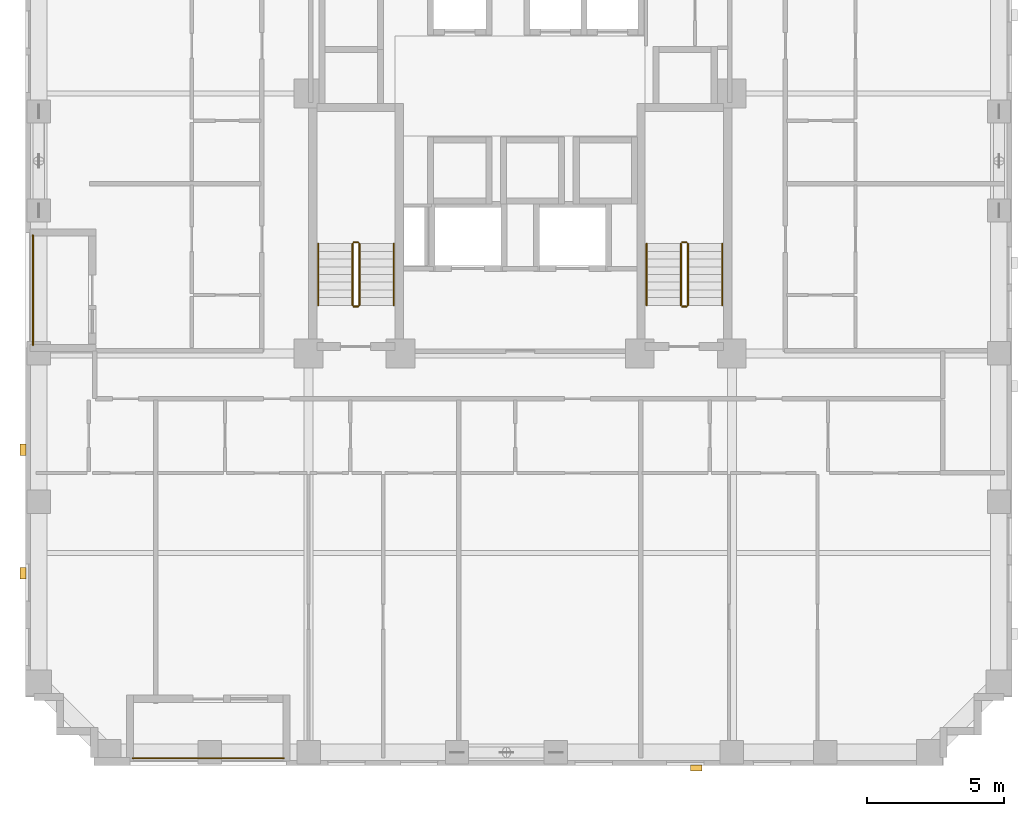
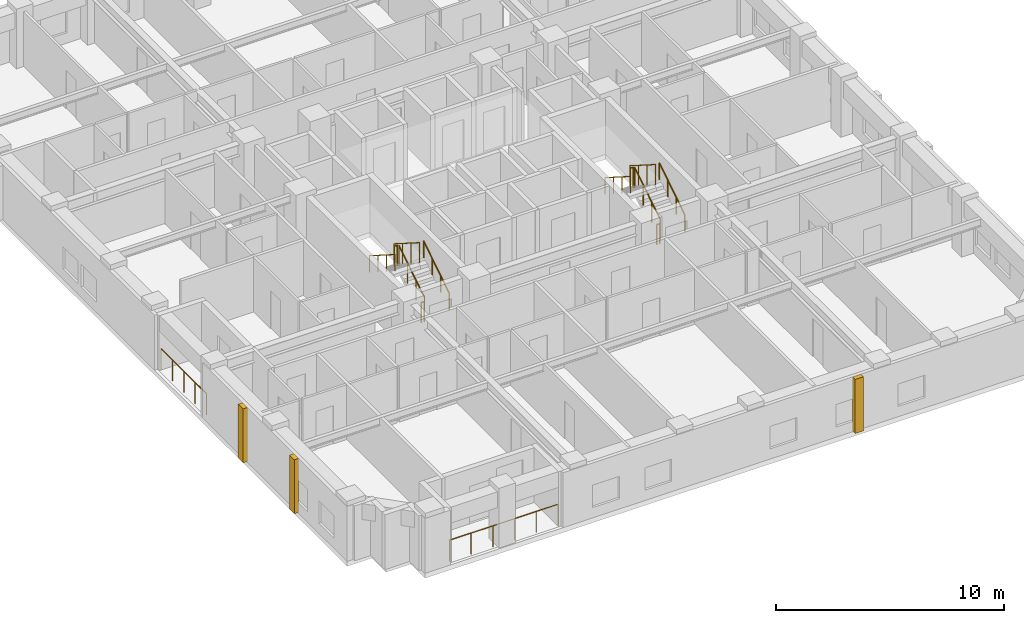
# One storey, part 11 of 12: 14 railings, 3 coverings.
"""IFC4 building model written with IfcOpenShell, lengths in metres."""

from ifc_helpers import new_model, si_unit, derived_unit, direction, frame, origin, origin_2d, place, context, subcontext, project, spatial, rectangle, circle, extrude, material, layer, layer_set, type_object, element, save


model = new_model("IFC4")

# Units and contexts
model_context = context("Model", 3, precision=1e-05, world=origin(), true_north=direction((0.0, 1.0)))
body_context = subcontext(model_context, "Body", "Model", "MODEL_VIEW")
ifc_project = project(units=[si_unit("LENGTHUNIT", "METRE"), si_unit("AREAUNIT", "SQUARE_METRE"), si_unit("VOLUMEUNIT", "CUBIC_METRE"), si_unit("PLANEANGLEUNIT", "RADIAN"), si_unit("MASSUNIT", "GRAM", prefix="KILO"), derived_unit("THERMALTRANSMITTANCEUNIT", [(si_unit("MASSUNIT", "GRAM", prefix="KILO"), 1), (si_unit("TIMEUNIT", "SECOND"), -3), (si_unit("THERMODYNAMICTEMPERATUREUNIT", "KELVIN"), -1)])], contexts=[model_context])

# Site, building, storey
site_placement = place(None, origin())
site = spatial("IfcSite", under=ifc_project, at=site_placement, CompositionType="ELEMENT")
building_placement = place(site_placement, origin())
building = spatial("IfcBuilding", under=site, at=building_placement, Name="Korrvale Station Residences", CompositionType="ELEMENT")
storey_placement = place(building_placement, frame((0.0, 0.0, 94.300048828125)))
storey = spatial("IfcBuildingStorey", under=building, at=storey_placement, Name="L26", CompositionType="ELEMENT", Elevation=94.300048828125)

# Coverings
ifc_material_1 = material(Name="Architectural precast concrete C45/55", Category="concrete")
ifc_layer = layer(ifc_material_1, 0.219970703125, Name="Architectural precast concrete C45/55")
ifc_layer_set = layer_set([ifc_layer], Name="Architectural precast concrete C45/55")
covering_type = type_object("IfcCoveringType", Name="COV-PIER-400", PredefinedType="CLADDING", material=ifc_layer_set)
for number, where, z_axis, x_axis, name in (
    (1, (31.89990234375, -0.090087890625, 0.02490234375), (0.0, 0.0, 1.0), (1.0, 0.0, 0.0), "L26 Architectural Precast Facade Pier 01"),
    (2, (7.409912109375, 7.0, 0.02490234375), (0.0, 0.0, 1.0), (0.0, 1.0, 0.0), "L26 Architectural Precast Facade Pier 04"),
    (3, (7.409912109375, 11.5, 0.02490234375), (0.0, 0.0, 1.0), (0.0, 1.0, 0.0), "L26 Architectural Precast Facade Pier 05"),
):
    element("IfcCovering", number, at=place(storey_placement, frame(where, z_axis=z_axis, x_axis=x_axis)), inside=storey, type_object=covering_type, Name=name, PredefinedType="CLADDING", context=body_context, shape_type="SweptSolid", body=[
        extrude(rectangle(XDim=0.419921875, YDim=0.219970703125, at=origin_2d()), origin(), (0.0, 0.0, 1.0), 2.889892578125),
    ])

# Railings
ifc_material_2 = material(Name="Powder-coated aluminium picket loggia guard", Category="aluminium")
railing_type_1 = type_object("IfcRailingType", Name="RLG-BAL-1150", PredefinedType="GUARDRAIL", material=ifc_material_2)
railing_1_placement = place(storey_placement, frame((11.39990234375, 0.27001953125, 0.0)))
element("IfcRailing", 4, at=railing_1_placement, inside=storey, type_object=railing_type_1, Name="L26 Recessed Loggia Guardrail BAL-L26-S1", PredefinedType="GUARDRAIL", context=body_context, shape_type="SweptSolid", body=[
    extrude(circle(Radius=0.02392578125, at=origin_2d()), frame((0.0, 0.0, 1.1259765625), z_axis=(1.0, 0.0, 0.0), x_axis=(0.0, 1.0, 0.0)), (0.0, 0.0, 1.0), 5.5),
    extrude(circle(Radius=0.02099609375, at=origin_2d()), origin(), (0.0, 0.0, 1.0), 1.101806640625),
    extrude(circle(Radius=0.02099609375, at=origin_2d()), frame((1.10009765625, 0.0, 0.0)), (0.0, 0.0, 1.0), 1.101806640625),
    extrude(circle(Radius=0.02099609375, at=origin_2d()), frame((2.199951171875, 0.0, 0.0)), (0.0, 0.0, 1.0), 1.101806640625),
    extrude(circle(Radius=0.02099609375, at=origin_2d()), frame((3.300048828125, 0.0, 0.0)), (0.0, 0.0, 1.0), 1.101806640625),
    extrude(circle(Radius=0.02099609375, at=origin_2d()), frame((4.39990234375, 0.0, 0.0)), (0.0, 0.0, 1.0), 1.101806640625),
    extrude(circle(Radius=0.02099609375, at=origin_2d()), frame((5.5, 0.0, 0.0)), (0.0, 0.0, 1.0), 1.101806640625),
])
railing_2_placement = place(storey_placement, frame((7.77001953125, 15.300048828125, 0.0)))
element("IfcRailing", 5, at=railing_2_placement, inside=storey, type_object=railing_type_1, Name="L26 Recessed Loggia Guardrail BAL-L26-W1", PredefinedType="GUARDRAIL", context=body_context, shape_type="SweptSolid", body=[
    extrude(circle(Radius=0.02392578125, at=origin_2d()), frame((0.0, 0.0, 1.1259765625), z_axis=(0.0, 1.0, 0.0), x_axis=(-1.0, 0.0, 0.0)), (0.0, 0.0, 1.0), 4.0),
    extrude(circle(Radius=0.02099609375, at=origin_2d()), origin(), (0.0, 0.0, 1.0), 1.101806640625),
    extrude(circle(Radius=0.02099609375, at=origin_2d()), frame((0.0, 1.0, 0.0)), (0.0, 0.0, 1.0), 1.101806640625),
    extrude(circle(Radius=0.02099609375, at=origin_2d()), frame((0.0, 2.0, 0.0)), (0.0, 0.0, 1.0), 1.101806640625),
    extrude(circle(Radius=0.02099609375, at=origin_2d()), frame((0.0, 3.0, 0.0)), (0.0, 0.0, 1.0), 1.101806640625),
    extrude(circle(Radius=0.02099609375, at=origin_2d()), frame((0.0, 4.0, 0.0)), (0.0, 0.0, 1.0), 1.101806640625),
])
ifc_material_3 = material(Name="Brushed stainless-steel continuous stair handrail", Category="steel")
railing_type_2 = type_object("IfcRailingType", Name="RLG-SHND-900", PredefinedType="HANDRAIL", material=ifc_material_3)
railing_3_placement = place(storey_placement, frame((20.89990234375, 16.75, 0.177734375)))
element("IfcRailing", 6, at=railing_3_placement, inside=storey, type_object=railing_type_2, Name="L26 ST-1 stair handrail 1", PredefinedType="HANDRAIL", context=body_context, shape_type="SweptSolid", body=[
    extrude(circle(Radius=0.02392578125, at=origin_2d()), frame((0.0, 0.0, 0.8759765625), z_axis=(0.0, 0.8442293374, 0.53598211339), x_axis=(-1.0, 0.0, 0.0)), (0.0, 0.0, 1.0), 2.6533203125),
    extrude(circle(Radius=0.02099609375, at=origin_2d()), origin(), (0.0, 0.0, 1.0), 0.851806640625),
    extrude(circle(Radius=0.02099609375, at=origin_2d()), frame((0.0, 0.74658203125, 0.47412109375)), (0.0, 0.0, 1.0), 0.851806640625),
    extrude(circle(Radius=0.02099609375, at=origin_2d()), frame((0.0, 1.493408203125, 0.947998046875)), (0.0, 0.0, 1.0), 0.851806640625),
    extrude(circle(Radius=0.02099609375, at=origin_2d()), frame((0.0, 2.239990234375, 1.422119140625)), (0.0, 0.0, 1.0), 0.851806640625),
])
railing_4_placement = place(storey_placement, frame((18.14990234375, 18.989990234375, 1.77783203125)))
element("IfcRailing", 7, at=railing_4_placement, inside=storey, type_object=railing_type_2, Name="L26 ST-1 stair handrail 2", PredefinedType="HANDRAIL", context=body_context, shape_type="SweptSolid", body=[
    extrude(circle(Radius=0.02392578125, at=origin_2d()), frame((0.0, 0.0, 0.8759765625), z_axis=(0.0, -0.8442293374, 0.53598211339), x_axis=(1.0, 0.0, 0.0)), (0.0, 0.0, 1.0), 2.6533203125),
    extrude(circle(Radius=0.02099609375, at=origin_2d()), origin(), (0.0, 0.0, 1.0), 0.851806640625),
    extrude(circle(Radius=0.02099609375, at=origin_2d()), frame((0.0, -0.74658203125, 0.47412109375)), (0.0, 0.0, 1.0), 0.851806640625),
    extrude(circle(Radius=0.02099609375, at=origin_2d()), frame((0.0, -1.493408203125, 0.947998046875)), (0.0, 0.0, 1.0), 0.851806640625),
    extrude(circle(Radius=0.02099609375, at=origin_2d()), frame((0.0, -2.239990234375, 1.422119140625)), (0.0, 0.0, 1.0), 0.851806640625),
])
railing_5_placement = place(storey_placement, frame((32.85009765625, 16.75, 0.177734375)))
element("IfcRailing", 8, at=railing_5_placement, inside=storey, type_object=railing_type_2, Name="L26 ST-2 stair handrail 1", PredefinedType="HANDRAIL", context=body_context, shape_type="SweptSolid", body=[
    extrude(circle(Radius=0.02392578125, at=origin_2d()), frame((0.0, 0.0, 0.8759765625), z_axis=(0.0, 0.8442293374, 0.53598211339), x_axis=(-1.0, 0.0, 0.0)), (0.0, 0.0, 1.0), 2.6533203125),
    extrude(circle(Radius=0.02099609375, at=origin_2d()), origin(), (0.0, 0.0, 1.0), 0.851806640625),
    extrude(circle(Radius=0.02099609375, at=origin_2d()), frame((0.0, 0.74658203125, 0.47412109375)), (0.0, 0.0, 1.0), 0.851806640625),
    extrude(circle(Radius=0.02099609375, at=origin_2d()), frame((0.0, 1.493408203125, 0.947998046875)), (0.0, 0.0, 1.0), 0.851806640625),
    extrude(circle(Radius=0.02099609375, at=origin_2d()), frame((0.0, 2.239990234375, 1.422119140625)), (0.0, 0.0, 1.0), 0.851806640625),
])
railing_6_placement = place(storey_placement, frame((30.10009765625, 18.989990234375, 1.77783203125)))
element("IfcRailing", 9, at=railing_6_placement, inside=storey, type_object=railing_type_2, Name="L26 ST-2 stair handrail 2", PredefinedType="HANDRAIL", context=body_context, shape_type="SweptSolid", body=[
    extrude(circle(Radius=0.02392578125, at=origin_2d()), frame((0.0, 0.0, 0.8759765625), z_axis=(0.0, -0.8442293374, 0.53598211339), x_axis=(1.0, 0.0, 0.0)), (0.0, 0.0, 1.0), 2.6533203125),
    extrude(circle(Radius=0.02099609375, at=origin_2d()), origin(), (0.0, 0.0, 1.0), 0.851806640625),
    extrude(circle(Radius=0.02099609375, at=origin_2d()), frame((0.0, -0.74658203125, 0.47412109375)), (0.0, 0.0, 1.0), 0.851806640625),
    extrude(circle(Radius=0.02099609375, at=origin_2d()), frame((0.0, -1.493408203125, 0.947998046875)), (0.0, 0.0, 1.0), 0.851806640625),
    extrude(circle(Radius=0.02099609375, at=origin_2d()), frame((0.0, -2.239990234375, 1.422119140625)), (0.0, 0.0, 1.0), 0.851806640625),
])
ifc_material_4 = material(Name="Galvanised painted tubular steel stair guard", Category="steel")
railing_type_3 = type_object("IfcRailingType", Name="RLG-STR-1100", PredefinedType="GUARDRAIL", material=ifc_material_4)
railing_7_placement = place(storey_placement, frame((19.64990234375, 16.75, 0.177734375)))
element("IfcRailing", 10, at=railing_7_placement, inside=storey, type_object=railing_type_3, Name="L26 ST-1 stair guard 1", PredefinedType="GUARDRAIL", context=body_context, shape_type="SweptSolid", body=[
    extrude(circle(Radius=0.02392578125, at=origin_2d()), frame((0.0, 0.0, 1.076171875), z_axis=(0.0, 0.8442293374, 0.53598211339), x_axis=(-1.0, 0.0, 0.0)), (0.0, 0.0, 1.0), 2.6533203125),
    extrude(circle(Radius=0.02099609375, at=origin_2d()), origin(), (0.0, 0.0, 1.0), 1.052001953125),
    extrude(circle(Radius=0.02099609375, at=origin_2d()), frame((0.0, 0.74658203125, 0.47412109375)), (0.0, 0.0, 1.0), 1.052001953125),
    extrude(circle(Radius=0.02099609375, at=origin_2d()), frame((0.0, 1.493408203125, 0.947998046875)), (0.0, 0.0, 1.0), 1.052001953125),
    extrude(circle(Radius=0.02099609375, at=origin_2d()), frame((0.0, 2.239990234375, 1.422119140625)), (0.0, 0.0, 1.0), 1.052001953125),
])
railing_8_placement = place(storey_placement, frame((19.60009765625, 19.0400390625, 1.599853515625)))
element("IfcRailing", 11, at=railing_8_placement, inside=storey, type_object=railing_type_3, Name="L26 ST-1 stair guard 2", PredefinedType="GUARDRAIL", context=body_context, shape_type="SweptSolid", body=[
    extrude(circle(Radius=0.02392578125, at=origin_2d()), frame((0.0, 0.0, 1.076171875), z_axis=(-1.0, 0.0, 0.0), x_axis=(0.0, -1.0, 0.0)), (0.0, 0.0, 1.0), 0.150146484375),
    extrude(circle(Radius=0.02099609375, at=origin_2d()), origin(), (0.0, 0.0, 1.0), 1.052001953125),
    extrude(circle(Radius=0.02099609375, at=origin_2d()), frame((-0.150146484375, 0.0, 0.0)), (0.0, 0.0, 1.0), 1.052001953125),
])
railing_9_placement = place(storey_placement, frame((19.39990234375, 18.989990234375, 1.77783203125)))
element("IfcRailing", 12, at=railing_9_placement, inside=storey, type_object=railing_type_3, Name="L26 ST-1 stair guard 3", PredefinedType="GUARDRAIL", context=body_context, shape_type="SweptSolid", body=[
    extrude(circle(Radius=0.02392578125, at=origin_2d()), frame((0.0, 0.0, 1.076171875), z_axis=(0.0, -0.8442293374, 0.53598211339), x_axis=(1.0, 0.0, 0.0)), (0.0, 0.0, 1.0), 2.6533203125),
    extrude(circle(Radius=0.02099609375, at=origin_2d()), origin(), (0.0, 0.0, 1.0), 1.052001953125),
    extrude(circle(Radius=0.02099609375, at=origin_2d()), frame((0.0, -0.74658203125, 0.47412109375)), (0.0, 0.0, 1.0), 1.052001953125),
    extrude(circle(Radius=0.02099609375, at=origin_2d()), frame((0.0, -1.493408203125, 0.947998046875)), (0.0, 0.0, 1.0), 1.052001953125),
    extrude(circle(Radius=0.02099609375, at=origin_2d()), frame((0.0, -2.239990234375, 1.422119140625)), (0.0, 0.0, 1.0), 1.052001953125),
])
railing_10_placement = place(storey_placement, frame((19.60009765625, 16.699951171875, 0.0)))
element("IfcRailing", 13, at=railing_10_placement, inside=storey, type_object=railing_type_3, Name="L26 ST-1 stair guard 4", PredefinedType="GUARDRAIL", context=body_context, shape_type="SweptSolid", body=[
    extrude(circle(Radius=0.02392578125, at=origin_2d()), frame((0.0, 0.0, 1.076171875), z_axis=(-1.0, 0.0, 0.0), x_axis=(0.0, -1.0, 0.0)), (0.0, 0.0, 1.0), 0.150146484375),
    extrude(circle(Radius=0.02099609375, at=origin_2d()), origin(), (0.0, 0.0, 1.0), 1.052001953125),
    extrude(circle(Radius=0.02099609375, at=origin_2d()), frame((-0.150146484375, 0.0, 0.0)), (0.0, 0.0, 1.0), 1.052001953125),
])
railing_11_placement = place(storey_placement, frame((31.60009765625, 16.75, 0.177734375)))
element("IfcRailing", 14, at=railing_11_placement, inside=storey, type_object=railing_type_3, Name="L26 ST-2 stair guard 1", PredefinedType="GUARDRAIL", context=body_context, shape_type="SweptSolid", body=[
    extrude(circle(Radius=0.02392578125, at=origin_2d()), frame((0.0, 0.0, 1.076171875), z_axis=(0.0, 0.8442293374, 0.53598211339), x_axis=(-1.0, 0.0, 0.0)), (0.0, 0.0, 1.0), 2.6533203125),
    extrude(circle(Radius=0.02099609375, at=origin_2d()), origin(), (0.0, 0.0, 1.0), 1.052001953125),
    extrude(circle(Radius=0.02099609375, at=origin_2d()), frame((0.0, 0.74658203125, 0.47412109375)), (0.0, 0.0, 1.0), 1.052001953125),
    extrude(circle(Radius=0.02099609375, at=origin_2d()), frame((0.0, 1.493408203125, 0.947998046875)), (0.0, 0.0, 1.0), 1.052001953125),
    extrude(circle(Radius=0.02099609375, at=origin_2d()), frame((0.0, 2.239990234375, 1.422119140625)), (0.0, 0.0, 1.0), 1.052001953125),
])
railing_12_placement = place(storey_placement, frame((31.550048828125, 19.0400390625, 1.599853515625)))
element("IfcRailing", 15, at=railing_12_placement, inside=storey, type_object=railing_type_3, Name="L26 ST-2 stair guard 2", PredefinedType="GUARDRAIL", context=body_context, shape_type="SweptSolid", body=[
    extrude(circle(Radius=0.02392578125, at=origin_2d()), frame((0.0, 0.0, 1.076171875), z_axis=(-1.0, 0.0, 0.0), x_axis=(0.0, -1.0, 0.0)), (0.0, 0.0, 1.0), 0.150146484375),
    extrude(circle(Radius=0.02099609375, at=origin_2d()), origin(), (0.0, 0.0, 1.0), 1.052001953125),
    extrude(circle(Radius=0.02099609375, at=origin_2d()), frame((-0.150146484375, 0.0, 0.0)), (0.0, 0.0, 1.0), 1.052001953125),
])
railing_13_placement = place(storey_placement, frame((31.35009765625, 18.989990234375, 1.77783203125)))
element("IfcRailing", 16, at=railing_13_placement, inside=storey, type_object=railing_type_3, Name="L26 ST-2 stair guard 3", PredefinedType="GUARDRAIL", context=body_context, shape_type="SweptSolid", body=[
    extrude(circle(Radius=0.02392578125, at=origin_2d()), frame((0.0, 0.0, 1.076171875), z_axis=(0.0, -0.8442293374, 0.53598211339), x_axis=(1.0, 0.0, 0.0)), (0.0, 0.0, 1.0), 2.6533203125),
    extrude(circle(Radius=0.02099609375, at=origin_2d()), origin(), (0.0, 0.0, 1.0), 1.052001953125),
    extrude(circle(Radius=0.02099609375, at=origin_2d()), frame((0.0, -0.74658203125, 0.47412109375)), (0.0, 0.0, 1.0), 1.052001953125),
    extrude(circle(Radius=0.02099609375, at=origin_2d()), frame((0.0, -1.493408203125, 0.947998046875)), (0.0, 0.0, 1.0), 1.052001953125),
    extrude(circle(Radius=0.02099609375, at=origin_2d()), frame((0.0, -2.239990234375, 1.422119140625)), (0.0, 0.0, 1.0), 1.052001953125),
])
railing_14_placement = place(storey_placement, frame((31.550048828125, 16.699951171875, 0.0)))
element("IfcRailing", 17, at=railing_14_placement, inside=storey, type_object=railing_type_3, Name="L26 ST-2 stair guard 4", PredefinedType="GUARDRAIL", context=body_context, shape_type="SweptSolid", body=[
    extrude(circle(Radius=0.02392578125, at=origin_2d()), frame((0.0, 0.0, 1.076171875), z_axis=(-1.0, 0.0, 0.0), x_axis=(0.0, -1.0, 0.0)), (0.0, 0.0, 1.0), 0.150146484375),
    extrude(circle(Radius=0.02099609375, at=origin_2d()), origin(), (0.0, 0.0, 1.0), 1.052001953125),
    extrude(circle(Radius=0.02099609375, at=origin_2d()), frame((-0.150146484375, 0.0, 0.0)), (0.0, 0.0, 1.0), 1.052001953125),
])

save(model, "model.ifc")
